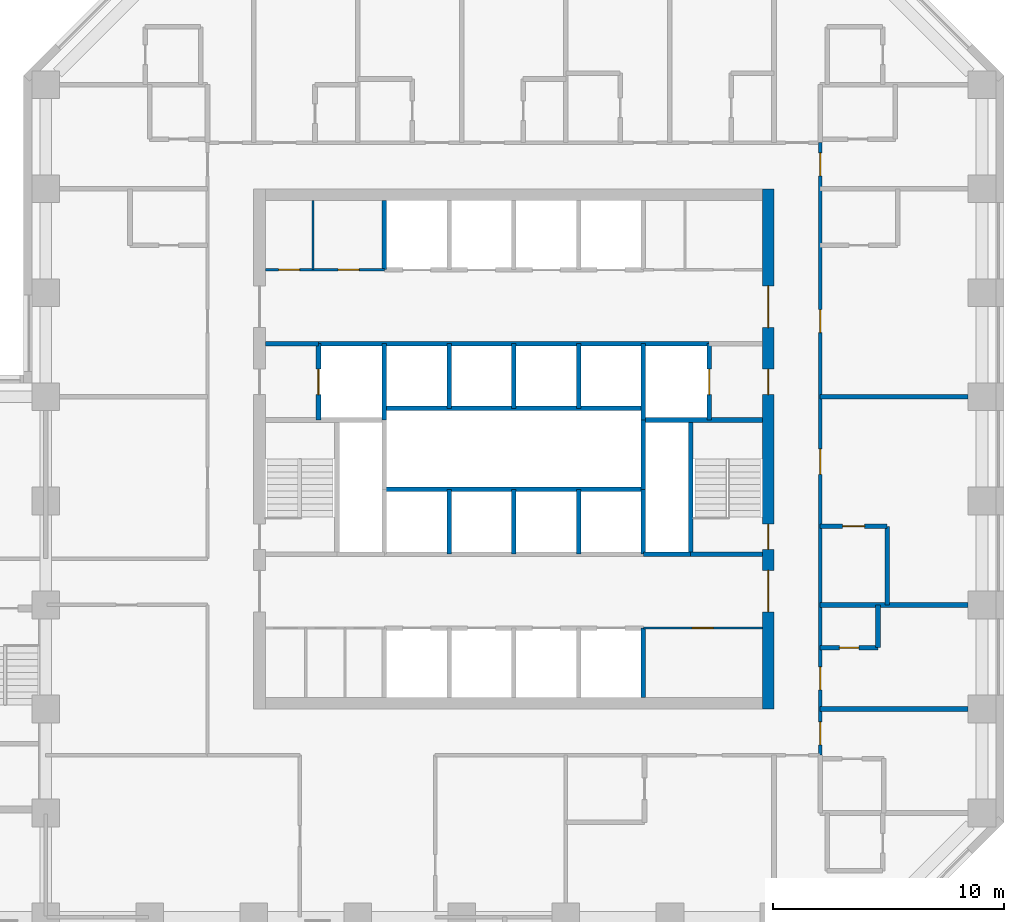
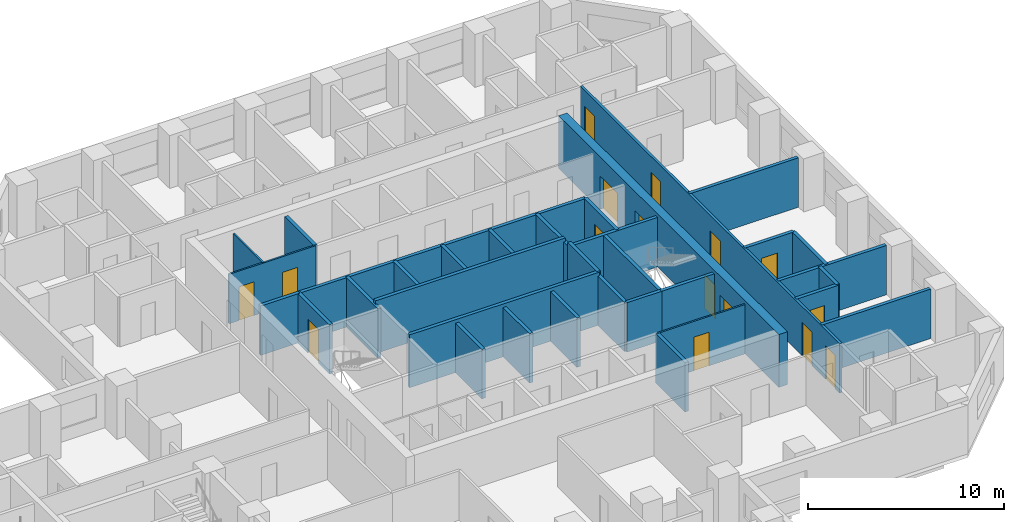
# One storey, part 8 of 12: 34 walls, 16 doors, 16 openings.
"""IFC4 building model written with IfcOpenShell, lengths in metres."""

from ifc_helpers import new_model, si_unit, direction, frame, frame_2d, origin, place, context, subcontext, project, spatial, rectangle, extrude, material, layer, layer_set, type_object, element, fill, save


model = new_model("IFC4")

# Units and contexts
model_context = context("Model", 3, precision=1e-05, world=origin(), true_north=direction((0.0, 1.0)))
body_context = subcontext(model_context, "Body", "Model", "MODEL_VIEW")
ifc_project = project(units=[si_unit("LENGTHUNIT", "METRE"), si_unit("AREAUNIT", "SQUARE_METRE"), si_unit("VOLUMEUNIT", "CUBIC_METRE"), si_unit("PLANEANGLEUNIT", "RADIAN"), si_unit("MASSUNIT", "GRAM", prefix="KILO")], contexts=[model_context])

# Site, building, storey
site_placement = place(None, origin())
site = spatial("IfcSite", under=ifc_project, at=site_placement, CompositionType="ELEMENT")
building_placement = place(site_placement, origin())
building = spatial("IfcBuilding", under=site, at=building_placement, Name="Quoin Convention Tower", CompositionType="ELEMENT")
storey_placement = place(building_placement, frame((0.0, 0.0, 33.0)))
storey = spatial("IfcBuildingStorey", under=building, at=storey_placement, Name="L07", CompositionType="ELEMENT", Elevation=33.0)

# Wall, opening, door
ifc_material_1 = material(Name="Plasterboard")
ifc_layer_1 = layer(ifc_material_1, 0.012451171875, Name="Finish")
ifc_material_2 = material(Name="Steel stud framing", Category="steel")
ifc_layer_2 = layer(ifc_material_2, 0.074951171875, Name="Structure")
ifc_layer_3 = layer(ifc_material_1, 0.012451171875, Name="Finish")
ifc_layer_set_1 = layer_set([ifc_layer_1, ifc_layer_2, ifc_layer_3], Name="Steel stud framing")
wall_type_1 = type_object("IfcWallType", Name="Core partition wall", PredefinedType="PARTITIONING", material=ifc_layer_set_1)
wall_1_placement = place(storey_placement, frame((61.85009765625, 53.0, 0.0), z_axis=(0.0, 0.0, 1.0), x_axis=(1.0, 0.0, 0.0)))
wall_1 = element("IfcWall", 1, at=wall_1_placement, inside=storey, type_object=wall_type_1, Name="cr-C1-L07-h3500_16850", PredefinedType="PARTITIONING", context=body_context, shape_type="SweptSolid", body=[
    extrude(rectangle(XDim=5.14990234375, YDim=0.10009765625, at=frame_2d((2.574951171875, 0.0))), origin(), (0.0, 0.0, 1.0), 3.080078125),
])
opening_1_placement = place(wall_1_placement, frame((2.125, 0.0, 0.0)))
opening_1 = element("IfcOpeningElement", 2, at=opening_1_placement, cuts=wall_1, Name="Opening DCV3-19", PredefinedType="OPENING", context=body_context, shape_type="SweptSolid", body=[
    extrude(rectangle(XDim=0.89990234375, YDim=2.10009765625, at=frame_2d((0.449951171875, 1.050048828125))), frame((0.0, 0.06005859375, 0.0), z_axis=(0.0, -1.0, 0.0), x_axis=(1.0, 0.0, 0.0)), (0.0, 0.0, 1.0), 0.1201171875),
])
ifc_material_3 = material(Name="Steel door leaf", Category="steel")
door_type_1 = type_object("IfcDoorType", Name="Core room door 900 x 2100", OperationType="SINGLE_SWING_LEFT", PredefinedType="DOOR", material=ifc_material_3)
door_1_placement = place(opening_1_placement, frame((0.89990234375, 0.0, 0.0), z_axis=(0.0, 0.0, 1.0), x_axis=(-1.0, 0.0, 0.0)))
door_1 = element("IfcDoor", 3, at=door_1_placement, inside=storey, type_object=door_type_1, Name="cd-C1-L07-CSE0-lobA-CD0711", OperationType="SINGLE_SWING_RIGHT", OverallHeight=2.10009765625, OverallWidth=0.89990234375, PredefinedType="DOOR", context=body_context, shape_type="SweptSolid", body=[
    extrude(rectangle(XDim=0.89990234375, YDim=2.10009765625, at=frame_2d((0.449951171875, 1.050048828125))), frame((0.0, 0.02490234375, 0.0), z_axis=(0.0, -1.0, 0.0), x_axis=(1.0, 0.0, 0.0)), (0.0, 0.0, 1.0), 0.050048828125),
])
fill(opening_1, door_1)

# Wall, openings, doors
wall_2_placement = place(storey_placement, frame((45.5, 68.5, 0.0), z_axis=(0.0, 0.0, 1.0), x_axis=(1.0, 0.0, 0.0)))
wall_2 = element("IfcWall", 4, at=wall_2_placement, inside=storey, type_object=wall_type_1, Name="cr-C1-L07-h19000_500", PredefinedType="PARTITIONING", context=body_context, shape_type="SweptSolid", body=[
    extrude(rectangle(XDim=5.14990234375, YDim=0.10009765625, at=frame_2d((2.574951171875, 0.0))), origin(), (0.0, 0.0, 1.0), 3.080078125),
])
opening_2_placement = place(wall_2_placement, frame((0.580078125, 0.0, 0.0)))
opening_2 = element("IfcOpeningElement", 5, at=opening_2_placement, cuts=wall_2, Name="Opening DCV3-17", PredefinedType="OPENING", context=body_context, shape_type="SweptSolid", body=[
    extrude(rectangle(XDim=0.89990234375, YDim=2.10009765625, at=frame_2d((0.449951171875, 1.050048828125))), frame((0.0, 0.06005859375, 0.0), z_axis=(0.0, -1.0, 0.0), x_axis=(1.0, 0.0, 0.0)), (0.0, 0.0, 1.0), 0.1201171875),
])
opening_3_placement = place(wall_2_placement, frame((3.155029296875, 0.0, 0.0)))
opening_3 = element("IfcOpeningElement", 6, at=opening_3_placement, cuts=wall_2, Name="Opening DCV3-18", PredefinedType="OPENING", context=body_context, shape_type="SweptSolid", body=[
    extrude(rectangle(XDim=0.89990234375, YDim=2.10009765625, at=frame_2d((0.449951171875, 1.050048828125))), frame((0.0, 0.06005859375, 0.0), z_axis=(0.0, -1.0, 0.0), x_axis=(1.0, 0.0, 0.0)), (0.0, 0.0, 1.0), 0.1201171875),
])
door_2_placement = place(opening_2_placement, origin())
door_2 = element("IfcDoor", 7, at=door_2_placement, inside=storey, type_object=door_type_1, Name="cd-C1-L07-CNW0-lobB-CD0709", OperationType="SINGLE_SWING_RIGHT", OverallHeight=2.10009765625, OverallWidth=0.89990234375, PredefinedType="DOOR", context=body_context, shape_type="SweptSolid", body=[
    extrude(rectangle(XDim=0.89990234375, YDim=2.10009765625, at=frame_2d((0.449951171875, 1.050048828125))), frame((0.0, 0.02490234375, 0.0), z_axis=(0.0, -1.0, 0.0), x_axis=(1.0, 0.0, 0.0)), (0.0, 0.0, 1.0), 0.050048828125),
])
fill(opening_2, door_2)
door_3_placement = place(opening_3_placement, origin())
door_3 = element("IfcDoor", 8, at=door_3_placement, inside=storey, type_object=door_type_1, Name="cd-C1-L07-CNW1-lobB-CD0710", OperationType="SINGLE_SWING_RIGHT", OverallHeight=2.10009765625, OverallWidth=0.89990234375, PredefinedType="DOOR", context=body_context, shape_type="SweptSolid", body=[
    extrude(rectangle(XDim=0.89990234375, YDim=2.10009765625, at=frame_2d((0.449951171875, 1.050048828125))), frame((0.0, 0.02490234375, 0.0), z_axis=(0.0, -1.0, 0.0), x_axis=(1.0, 0.0, 0.0)), (0.0, 0.0, 1.0), 0.050048828125),
])
fill(opening_3, door_3)

# Walls
wall_3_placement = place(storey_placement, frame((47.56005859375, 68.5, 0.0), z_axis=(0.0, 0.0, 1.0), x_axis=(0.0, 1.0, 0.0)))
element("IfcWall", 9, at=wall_3_placement, inside=storey, type_object=wall_type_1, Name="cr-C1-L07-v2560_19000", PredefinedType="PARTITIONING", context=body_context, shape_type="SweptSolid", body=[
    extrude(rectangle(XDim=3.0, YDim=0.10009765625, at=frame_2d((1.5, 0.0))), origin(), (0.0, 0.0, 1.0), 3.080078125),
])
ifc_material_4 = material(Name="Concrete C50", Category="concrete")
ifc_layer_4 = layer(ifc_material_4, 0.199951171875)
ifc_layer_set_2 = layer_set([ifc_layer_4], Name="Concrete C50")
wall_type_2 = type_object("IfcWallType", Name="Core shaft wall", PredefinedType="SOLIDWALL", material=ifc_layer_set_2)
wall_4_placement = place(storey_placement, frame((61.85009765625, 56.199951171875, 0.0), z_axis=(0.0, 0.0, 1.0), x_axis=(1.0, 0.0, 0.0)))
element("IfcWall", 10, at=wall_4_placement, inside=storey, type_object=wall_type_2, Name="cr-C1-L07-h6700_16850", PredefinedType="SOLIDWALL", context=body_context, shape_type="SweptSolid", body=[
    extrude(rectangle(XDim=2.0498046875, YDim=0.199951171875, at=frame_2d((1.02490234375, 0.0))), origin(), (0.0, 0.0, 1.0), 3.080078125),
])
wall_5_placement = place(storey_placement, frame((63.89990234375, 56.199951171875, 0.0), z_axis=(0.0, 0.0, 1.0), x_axis=(1.0, 0.0, 0.0)))
element("IfcWall", 11, at=wall_5_placement, inside=storey, type_object=wall_type_2, Name="cr-C1-L07-h6700_18900", PredefinedType="SOLIDWALL", context=body_context, shape_type="SweptSolid", body=[
    extrude(rectangle(XDim=3.10009765625, YDim=0.199951171875, at=frame_2d((1.550048828125, 0.0))), origin(), (0.0, 0.0, 1.0), 3.080078125),
])
wall_6_placement = place(storey_placement, frame((61.85009765625, 62.0, 0.0), z_axis=(0.0, 0.0, 1.0), x_axis=(1.0, 0.0, 0.0)))
element("IfcWall", 12, at=wall_6_placement, inside=storey, type_object=wall_type_2, Name="cr-C1-L07-h12500_16850", PredefinedType="SOLIDWALL", context=body_context, shape_type="SweptSolid", body=[
    extrude(rectangle(XDim=5.14990234375, YDim=0.199951171875, at=frame_2d((2.574951171875, 0.0))), origin(), (0.0, 0.0, 1.0), 3.080078125),
])
wall_7_placement = place(storey_placement, frame((45.5, 65.300048828125, 0.0), z_axis=(0.0, 0.0, 1.0), x_axis=(1.0, 0.0, 0.0)))
element("IfcWall", 13, at=wall_7_placement, inside=storey, type_object=wall_type_2, Name="cr-C1-L07-h15800_500", PredefinedType="SOLIDWALL", context=body_context, shape_type="SweptSolid", body=[
    extrude(rectangle(XDim=2.300048828125, YDim=0.199951171875, at=frame_2d((1.14990234375, 0.0))), origin(), (0.0, 0.0, 1.0), 3.080078125),
])
wall_8_placement = place(storey_placement, frame((47.800048828125, 65.300048828125, 0.0), z_axis=(0.0, 0.0, 1.0), x_axis=(1.0, 0.0, 0.0)))
element("IfcWall", 14, at=wall_8_placement, inside=storey, type_object=wall_type_2, Name="cr-C1-L07-h15800_2800", PredefinedType="SOLIDWALL", context=body_context, shape_type="SweptSolid", body=[
    extrude(rectangle(XDim=16.89990234375, YDim=0.199951171875, at=frame_2d((8.449951171875, 0.0))), origin(), (0.0, 0.0, 1.0), 3.080078125),
])

# Wall, opening, door
wall_9_placement = place(storey_placement, frame((47.800048828125, 62.0, 0.0), z_axis=(0.0, 0.0, 1.0), x_axis=(0.0, 1.0, 0.0)))
wall_9 = element("IfcWall", 15, at=wall_9_placement, inside=storey, type_object=wall_type_2, Name="cr-C1-L07-v2800_12500", PredefinedType="SOLIDWALL", context=body_context, shape_type="SweptSolid", body=[
    extrude(rectangle(XDim=3.300048828125, YDim=0.199951171875, at=frame_2d((1.64990234375, 0.0))), origin(), (0.0, 0.0, 1.0), 3.080078125),
])
opening_4_placement = place(wall_9_placement, frame((1.10009765625, 0.0, 0.0)))
opening_4 = element("IfcOpeningElement", 16, at=opening_4_placement, cuts=wall_9, Name="Opening LDFL1", PredefinedType="OPENING", context=body_context, shape_type="SweptSolid", body=[
    extrude(rectangle(XDim=1.10009765625, YDim=2.10009765625, at=frame_2d((0.550048828125, 1.050048828125))), frame((0.0, 0.10986328125, 0.0), z_axis=(0.0, -1.0, 0.0), x_axis=(1.0, 0.0, 0.0)), (0.0, 0.0, 1.0), 0.219970703125),
])
door_type_2 = type_object("IfcDoorType", Name="Lift landing door 1100 x 2100", OperationType="DOUBLE_DOOR_SLIDING", PredefinedType="DOOR", material=ifc_material_3)
door_4_placement = place(opening_4_placement, origin())
door_4 = element("IfcDoor", 17, at=door_4_placement, inside=storey, type_object=door_type_2, Name="cd-C1-L07-FLW-FFW-LDFL1", OperationType="DOUBLE_DOOR_SLIDING", OverallHeight=2.10009765625, OverallWidth=1.10009765625, PredefinedType="DOOR", context=body_context, shape_type="SweptSolid", body=[
    extrude(rectangle(XDim=1.10009765625, YDim=2.10009765625, at=frame_2d((0.550048828125, 1.050048828125))), frame((0.0, 0.02490234375, 0.0), z_axis=(0.0, -1.0, 0.0), x_axis=(1.0, 0.0, 0.0)), (0.0, 0.0, 1.0), 0.050048828125),
])
fill(opening_4, door_4)

# Walls
wall_10_placement = place(storey_placement, frame((50.64990234375, 62.0, 0.0), z_axis=(0.0, 0.0, 1.0), x_axis=(0.0, 1.0, 0.0)))
element("IfcWall", 18, at=wall_10_placement, inside=storey, type_object=wall_type_2, Name="cr-C1-L07-v5650_12500", PredefinedType="SOLIDWALL", context=body_context, shape_type="SweptSolid", body=[
    extrude(rectangle(XDim=3.300048828125, YDim=0.199951171875, at=frame_2d((1.64990234375, 0.0))), origin(), (0.0, 0.0, 1.0), 3.080078125),
])
wall_11_placement = place(storey_placement, frame((50.64990234375, 68.5, 0.0), z_axis=(0.0, 0.0, 1.0), x_axis=(0.0, 1.0, 0.0)))
element("IfcWall", 19, at=wall_11_placement, inside=storey, type_object=wall_type_2, Name="cr-C1-L07-v5650_19000", PredefinedType="SOLIDWALL", context=body_context, shape_type="SweptSolid", body=[
    extrude(rectangle(XDim=3.0, YDim=0.199951171875, at=frame_2d((1.5, 0.0))), origin(), (0.0, 0.0, 1.0), 3.080078125),
])
for number, where, z_axis, x_axis, name in (
    (20, (53.449951171875, 56.199951171875, 0.0), (0.0, 0.0, 1.0), (0.0, 1.0, 0.0), "cr-C1-L07-v8450_6700"),
    (21, (53.449951171875, 62.5, 0.0), (0.0, 0.0, 1.0), (0.0, 1.0, 0.0), "cr-C1-L07-v8450_13000"),
    (22, (56.25, 56.199951171875, 0.0), (0.0, 0.0, 1.0), (0.0, 1.0, 0.0), "cr-C1-L07-v11250_6700"),
    (23, (56.25, 62.5, 0.0), (0.0, 0.0, 1.0), (0.0, 1.0, 0.0), "cr-C1-L07-v11250_13000"),
    (24, (59.050048828125, 56.199951171875, 0.0), (0.0, 0.0, 1.0), (0.0, 1.0, 0.0), "cr-C1-L07-v14050_6700"),
    (25, (59.050048828125, 62.5, 0.0), (0.0, 0.0, 1.0), (0.0, 1.0, 0.0), "cr-C1-L07-v14050_13000"),
):
    element("IfcWall", number, at=place(storey_placement, frame(where, z_axis=z_axis, x_axis=x_axis)), inside=storey, type_object=wall_type_2, Name=name, PredefinedType="SOLIDWALL", context=body_context, shape_type="SweptSolid", body=[
        extrude(rectangle(XDim=2.800048828125, YDim=0.199951171875, at=frame_2d((1.39990234375, 0.0))), origin(), (0.0, 0.0, 1.0), 3.080078125),
    ])
wall_12_placement = place(storey_placement, frame((61.85009765625, 50.0, 0.0), z_axis=(0.0, 0.0, 1.0), x_axis=(0.0, 1.0, 0.0)))
element("IfcWall", 26, at=wall_12_placement, inside=storey, type_object=wall_type_2, Name="cr-C1-L07-v16850_500", PredefinedType="SOLIDWALL", context=body_context, shape_type="SweptSolid", body=[
    extrude(rectangle(XDim=3.0, YDim=0.199951171875, at=frame_2d((1.5, 0.0))), origin(), (0.0, 0.0, 1.0), 3.080078125),
])
wall_13_placement = place(storey_placement, frame((61.85009765625, 56.199951171875, 0.0), z_axis=(0.0, 0.0, 1.0), x_axis=(0.0, 1.0, 0.0)))
element("IfcWall", 27, at=wall_13_placement, inside=storey, type_object=wall_type_2, Name="cr-C1-L07-v16850_6700", PredefinedType="SOLIDWALL", context=body_context, shape_type="SweptSolid", body=[
    extrude(rectangle(XDim=2.800048828125, YDim=0.199951171875, at=frame_2d((1.39990234375, 0.0))), origin(), (0.0, 0.0, 1.0), 3.080078125),
])
wall_14_placement = place(storey_placement, frame((61.85009765625, 62.0, 0.0), z_axis=(0.0, 0.0, 1.0), x_axis=(0.0, 1.0, 0.0)))
element("IfcWall", 28, at=wall_14_placement, inside=storey, type_object=wall_type_2, Name="cr-C1-L07-v16850_12500", PredefinedType="SOLIDWALL", context=body_context, shape_type="SweptSolid", body=[
    extrude(rectangle(XDim=3.300048828125, YDim=0.199951171875, at=frame_2d((1.64990234375, 0.0))), origin(), (0.0, 0.0, 1.0), 3.080078125),
])
wall_15_placement = place(storey_placement, frame((63.89990234375, 56.199951171875, 0.0), z_axis=(0.0, 0.0, 1.0), x_axis=(0.0, 1.0, 0.0)))
element("IfcWall", 29, at=wall_15_placement, inside=storey, type_object=wall_type_2, Name="cr-C1-L07-v18900_6700", PredefinedType="SOLIDWALL", context=body_context, shape_type="SweptSolid", body=[
    extrude(rectangle(XDim=5.800048828125, YDim=0.199951171875, at=frame_2d((2.89990234375, 0.0))), origin(), (0.0, 0.0, 1.0), 3.080078125),
])

# Wall, opening, door
wall_16_placement = place(storey_placement, frame((64.699951171875, 62.0, 0.0), z_axis=(0.0, 0.0, 1.0), x_axis=(0.0, 1.0, 0.0)))
wall_16 = element("IfcWall", 30, at=wall_16_placement, inside=storey, type_object=wall_type_2, Name="cr-C1-L07-v19700_12500", PredefinedType="SOLIDWALL", context=body_context, shape_type="SweptSolid", body=[
    extrude(rectangle(XDim=3.300048828125, YDim=0.199951171875, at=frame_2d((1.64990234375, 0.0))), origin(), (0.0, 0.0, 1.0), 3.080078125),
])
opening_5_placement = place(wall_16_placement, frame((1.10009765625, 0.0, 0.0)))
opening_5 = element("IfcOpeningElement", 31, at=opening_5_placement, cuts=wall_16, Name="Opening LDFL2", PredefinedType="OPENING", context=body_context, shape_type="SweptSolid", body=[
    extrude(rectangle(XDim=1.10009765625, YDim=2.10009765625, at=frame_2d((0.550048828125, 1.050048828125))), frame((0.0, 0.10986328125, 0.0), z_axis=(0.0, -1.0, 0.0), x_axis=(1.0, 0.0, 0.0)), (0.0, 0.0, 1.0), 0.219970703125),
])
door_5_placement = place(opening_5_placement, origin())
door_5 = element("IfcDoor", 32, at=door_5_placement, inside=storey, type_object=door_type_2, Name="cd-C1-L07-FLE-FFE-LDFL2", OperationType="DOUBLE_DOOR_SLIDING", OverallHeight=2.10009765625, OverallWidth=1.10009765625, PredefinedType="DOOR", context=body_context, shape_type="SweptSolid", body=[
    extrude(rectangle(XDim=1.10009765625, YDim=2.10009765625, at=frame_2d((0.550048828125, 1.050048828125))), frame((0.0, 0.02490234375, 0.0), z_axis=(0.0, -1.0, 0.0), x_axis=(1.0, 0.0, 0.0)), (0.0, 0.0, 1.0), 0.050048828125),
])
fill(opening_5, door_5)

# Walls
ifc_layer_5 = layer(ifc_material_4, 0.199951171875)
ifc_layer_set_3 = layer_set([ifc_layer_5], Name="Concrete C50")
wall_type_3 = type_object("IfcWallType", Name="Core shaft wall to the floor level over", PredefinedType="SOLIDWALL", material=ifc_layer_set_3)
for number, where, z_axis, x_axis, name in (
    (33, (50.64990234375, 59.0, 0.0), (0.0, 0.0, 1.0), (1.0, 0.0, 0.0), "cr-C1-L07-h9500_5650"),
    (34, (50.64990234375, 62.5, 0.0), (0.0, 0.0, 1.0), (1.0, 0.0, 0.0), "cr-C1-L07-h13000_5650"),
):
    element("IfcWall", number, at=place(storey_placement, frame(where, z_axis=z_axis, x_axis=x_axis)), inside=storey, type_object=wall_type_3, Name=name, PredefinedType="SOLIDWALL", context=body_context, shape_type="SweptSolid", body=[
        extrude(rectangle(XDim=11.2001953125, YDim=0.199951171875, at=frame_2d((5.60009765625, 0.0))), origin(), (0.0, 0.0, 1.0), 3.300048828125),
    ])
wall_17_placement = place(storey_placement, frame((61.85009765625, 59.0, 0.0), z_axis=(0.0, 0.0, 1.0), x_axis=(0.0, 1.0, 0.0)))
element("IfcWall", 35, at=wall_17_placement, inside=storey, type_object=wall_type_3, Name="cr-C1-L07-v16850_9500", PredefinedType="SOLIDWALL", context=body_context, shape_type="SweptSolid", body=[
    extrude(rectangle(XDim=3.0, YDim=0.199951171875, at=frame_2d((1.5, 0.0))), origin(), (0.0, 0.0, 1.0), 3.300048828125),
])

# Wall, openings, doors
ifc_material_5 = material(Name="Concrete C80", Category="concrete")
ifc_layer_6 = layer(ifc_material_5, 0.5)
ifc_layer_set_4 = layer_set([ifc_layer_6], Name="Concrete C80")
wall_type_4 = type_object("IfcWallType", Name="RC CORE WALL 500 C80", PredefinedType="SHEAR", material=ifc_layer_set_4)
wall_18_placement = place(storey_placement, frame((67.25, 49.5, 0.0), z_axis=(0.0, 0.0, 1.0), x_axis=(0.0, 1.0, 0.0)))
wall_18 = element("IfcWall", 36, at=wall_18_placement, inside=storey, type_object=wall_type_4, Name="cwl-C1-L07-E", PredefinedType="SHEAR", context=body_context, shape_type="SweptSolid", body=[
    extrude(rectangle(XDim=22.5, YDim=0.5, at=frame_2d((11.25, 0.0))), origin(), (0.0, 0.0, 1.0), 3.300048828125),
])
opening_6_placement = place(wall_18_placement, frame((4.199951171875, 0.0, 0.0)))
opening_6 = element("IfcOpeningElement", 37, at=opening_6_placement, cuts=wall_18, Name="Opening DCV3-38", PredefinedType="OPENING", context=body_context, shape_type="SweptSolid", body=[
    extrude(rectangle(XDim=1.800048828125, YDim=2.10009765625, at=frame_2d((0.89990234375, 1.050048828125))), frame((0.0, 0.260009765625, 0.0), z_axis=(0.0, -1.0, 0.0), x_axis=(1.0, 0.0, 0.0)), (0.0, 0.0, 1.0), 0.52001953125),
])
opening_7_placement = place(wall_18_placement, frame((6.89990234375, 0.0, 0.0)))
opening_7 = element("IfcOpeningElement", 38, at=opening_7_placement, cuts=wall_18, Name="Opening SD2", PredefinedType="OPENING", context=body_context, shape_type="SweptSolid", body=[
    extrude(rectangle(XDim=1.10009765625, YDim=2.10009765625, at=frame_2d((0.550048828125, 1.050048828125))), frame((0.0, 0.260009765625, 0.0), z_axis=(0.0, -1.0, 0.0), x_axis=(1.0, 0.0, 0.0)), (0.0, 0.0, 1.0), 0.52001953125),
])
opening_8_placement = place(wall_18_placement, frame((13.60009765625, 0.0, 0.0)))
opening_8 = element("IfcOpeningElement", 39, at=opening_8_placement, cuts=wall_18, Name="Opening DCV3-37", PredefinedType="OPENING", context=body_context, shape_type="SweptSolid", body=[
    extrude(rectangle(XDim=1.10009765625, YDim=2.10009765625, at=frame_2d((0.550048828125, 1.050048828125))), frame((0.0, 0.260009765625, 0.0), z_axis=(0.0, -1.0, 0.0), x_axis=(1.0, 0.0, 0.0)), (0.0, 0.0, 1.0), 0.52001953125),
])
opening_9_placement = place(wall_18_placement, frame((16.5, 0.0, 0.0)))
opening_9 = element("IfcOpeningElement", 40, at=opening_9_placement, cuts=wall_18, Name="Opening DCV3-38", PredefinedType="OPENING", context=body_context, shape_type="SweptSolid", body=[
    extrude(rectangle(XDim=1.800048828125, YDim=2.10009765625, at=frame_2d((0.89990234375, 1.050048828125))), frame((0.0, 0.260009765625, 0.0), z_axis=(0.0, -1.0, 0.0), x_axis=(1.0, 0.0, 0.0)), (0.0, 0.0, 1.0), 0.52001953125),
])
door_type_3 = type_object("IfcDoorType", Name="Fire-fighting lobby door 1100 x 2100", OperationType="SINGLE_SWING_LEFT", PredefinedType="DOOR", material=ifc_material_3)
door_6_placement = place(opening_8_placement, origin())
door_6 = element("IfcDoor", 41, at=door_6_placement, inside=storey, type_object=door_type_3, Name="cd-C1-L07-FFE-E", OperationType="SINGLE_SWING_RIGHT", OverallHeight=2.10009765625, OverallWidth=1.10009765625, PredefinedType="DOOR", context=body_context, shape_type="SweptSolid", body=[
    extrude(rectangle(XDim=1.10009765625, YDim=2.10009765625, at=frame_2d((0.550048828125, 1.050048828125))), frame((0.0, 0.02490234375, 0.0), z_axis=(0.0, -1.0, 0.0), x_axis=(1.0, 0.0, 0.0)), (0.0, 0.0, 1.0), 0.050048828125),
])
fill(opening_8, door_6)
door_type_4 = type_object("IfcDoorType", Name="Lift lobby door 1800 x 2100", OperationType="SINGLE_SWING_LEFT", PredefinedType="DOOR", material=ifc_material_3)
door_7_placement = place(opening_6_placement, origin())
door_7 = element("IfcDoor", 42, at=door_7_placement, inside=storey, type_object=door_type_4, Name="cd-C1-L07-lobA-E", OperationType="SINGLE_SWING_RIGHT", OverallHeight=2.10009765625, OverallWidth=1.800048828125, PredefinedType="DOOR", context=body_context, shape_type="SweptSolid", body=[
    extrude(rectangle(XDim=1.800048828125, YDim=2.10009765625, at=frame_2d((0.89990234375, 1.050048828125))), frame((0.0, 0.02490234375, 0.0), z_axis=(0.0, -1.0, 0.0), x_axis=(1.0, 0.0, 0.0)), (0.0, 0.0, 1.0), 0.050048828125),
])
fill(opening_6, door_7)
door_8_placement = place(opening_9_placement, origin())
door_8 = element("IfcDoor", 43, at=door_8_placement, inside=storey, type_object=door_type_4, Name="cd-C1-L07-lobB-E", OperationType="SINGLE_SWING_RIGHT", OverallHeight=2.10009765625, OverallWidth=1.800048828125, PredefinedType="DOOR", context=body_context, shape_type="SweptSolid", body=[
    extrude(rectangle(XDim=1.800048828125, YDim=2.10009765625, at=frame_2d((0.89990234375, 1.050048828125))), frame((0.0, 0.02490234375, 0.0), z_axis=(0.0, -1.0, 0.0), x_axis=(1.0, 0.0, 0.0)), (0.0, 0.0, 1.0), 0.050048828125),
])
fill(opening_9, door_8)
door_type_5 = type_object("IfcDoorType", Name="Stair door 1100 x 2100", OperationType="SINGLE_SWING_RIGHT", PredefinedType="DOOR", material=ifc_material_3)
door_9_placement = place(opening_7_placement, origin())
door_9 = element("IfcDoor", 44, at=door_9_placement, inside=storey, type_object=door_type_5, Name="cd-C1-L07-STE-E", OperationType="SINGLE_SWING_LEFT", OverallHeight=2.10009765625, OverallWidth=1.10009765625, PredefinedType="DOOR", context=body_context, shape_type="SweptSolid", body=[
    extrude(rectangle(XDim=1.10009765625, YDim=2.10009765625, at=frame_2d((0.550048828125, 1.050048828125))), frame((0.0, 0.02490234375, 0.0), z_axis=(0.0, -1.0, 0.0), x_axis=(1.0, 0.0, 0.0)), (0.0, 0.0, 1.0), 0.050048828125),
])
fill(opening_7, door_9)

# Wall
ifc_layer_7 = layer(ifc_material_4, 0.199951171875)
ifc_layer_set_5 = layer_set([ifc_layer_7], Name="Concrete C50")
wall_type_5 = type_object("IfcWallType", Name="RC party wall", PredefinedType="SOLIDWALL", material=ifc_layer_set_5)
wall_19_placement = place(storey_placement, frame((69.5, 49.5, 0.0), z_axis=(0.0, 0.0, 1.0), x_axis=(1.0, 0.0, 0.0)))
element("IfcWall", 45, at=wall_19_placement, inside=storey, type_object=wall_type_5, Name="pw-L07-094", PredefinedType="SOLIDWALL", context=body_context, shape_type="SweptSolid", body=[
    extrude(rectangle(XDim=6.39990234375, YDim=0.199951171875, at=frame_2d((3.199951171875, 0.0))), origin(), (0.0, 0.0, 1.0), 3.080078125),
])

# Wall, opening, door
wall_20_placement = place(storey_placement, frame((69.5, 52.14990234375, 0.0), z_axis=(0.0, 0.0, 1.0), x_axis=(1.0, 0.0, 0.0)))
wall_20 = element("IfcWall", 46, at=wall_20_placement, inside=storey, type_object=wall_type_5, Name="pw-L07-095", PredefinedType="SOLIDWALL", context=body_context, shape_type="SweptSolid", body=[
    extrude(rectangle(XDim=2.5, YDim=0.199951171875, at=frame_2d((1.25, 0.0))), origin(), (0.0, 0.0, 1.0), 3.080078125),
])
opening_10_placement = place(wall_20_placement, frame((0.824951171875, 0.0, 0.0)))
opening_10 = element("IfcOpeningElement", 47, at=opening_10_placement, cuts=wall_20, Name="Opening DHOTEL-C-60", PredefinedType="OPENING", context=body_context, shape_type="SweptSolid", body=[
    extrude(rectangle(XDim=0.85009765625, YDim=2.10009765625, at=frame_2d((0.425048828125, 1.050048828125))), frame((0.0, 0.10986328125, 0.0), z_axis=(0.0, -1.0, 0.0), x_axis=(1.0, 0.0, 0.0)), (0.0, 0.0, 1.0), 0.219970703125),
])
door_type_6 = type_object("IfcDoorType", Name="Bathroom door", OperationType="SINGLE_SWING_LEFT", PredefinedType="DOOR", material=ifc_material_3)
door_10_placement = place(opening_10_placement, frame((0.85009765625, 0.0, 0.0), z_axis=(0.0, 0.0, 1.0), x_axis=(-1.0, 0.0, 0.0)))
door_10 = element("IfcDoor", 48, at=door_10_placement, inside=storey, type_object=door_type_6, Name="dr-L07-054", OperationType="SINGLE_SWING_RIGHT", OverallHeight=2.10009765625, OverallWidth=0.85009765625, PredefinedType="DOOR", context=body_context, shape_type="SweptSolid", body=[
    extrude(rectangle(XDim=0.85009765625, YDim=2.10009765625, at=frame_2d((0.425048828125, 1.050048828125))), frame((0.0, 0.02490234375, 0.0), z_axis=(0.0, -1.0, 0.0), x_axis=(1.0, 0.0, 0.0)), (0.0, 0.0, 1.0), 0.050048828125),
])
fill(opening_10, door_10)

# Walls
wall_21_placement = place(storey_placement, frame((72.0, 52.14990234375, 0.0), z_axis=(0.0, 0.0, 1.0), x_axis=(0.0, 1.0, 0.0)))
element("IfcWall", 49, at=wall_21_placement, inside=storey, type_object=wall_type_5, Name="pw-L07-096", PredefinedType="SOLIDWALL", context=body_context, shape_type="SweptSolid", body=[
    extrude(rectangle(XDim=1.85009765625, YDim=0.199951171875, at=frame_2d((0.925048828125, 0.0))), origin(), (0.0, 0.0, 1.0), 3.080078125),
])
wall_22_placement = place(storey_placement, frame((69.5, 54.0, 0.0), z_axis=(0.0, 0.0, 1.0), x_axis=(1.0, 0.0, 0.0)))
element("IfcWall", 50, at=wall_22_placement, inside=storey, type_object=wall_type_5, Name="pw-L07-097", PredefinedType="SOLIDWALL", context=body_context, shape_type="SweptSolid", body=[
    extrude(rectangle(XDim=6.39990234375, YDim=0.199951171875, at=frame_2d((3.199951171875, 0.0))), origin(), (0.0, 0.0, 1.0), 3.080078125),
])
wall_23_placement = place(storey_placement, frame((72.39990234375, 54.0, 0.0), z_axis=(0.0, 0.0, 1.0), x_axis=(0.0, 1.0, 0.0)))
element("IfcWall", 51, at=wall_23_placement, inside=storey, type_object=wall_type_5, Name="pw-L07-098", PredefinedType="SOLIDWALL", context=body_context, shape_type="SweptSolid", body=[
    extrude(rectangle(XDim=3.39990234375, YDim=0.199951171875, at=frame_2d((1.699951171875, 0.0))), origin(), (0.0, 0.0, 1.0), 3.080078125),
])

# Wall, opening, door
wall_24_placement = place(storey_placement, frame((69.5, 57.39990234375, 0.0), z_axis=(0.0, 0.0, 1.0), x_axis=(1.0, 0.0, 0.0)))
wall_24 = element("IfcWall", 52, at=wall_24_placement, inside=storey, type_object=wall_type_5, Name="pw-L07-106", PredefinedType="SOLIDWALL", context=body_context, shape_type="SweptSolid", body=[
    extrude(rectangle(XDim=2.89990234375, YDim=0.199951171875, at=frame_2d((1.449951171875, 0.0))), origin(), (0.0, 0.0, 1.0), 3.080078125),
])
opening_11_placement = place(wall_24_placement, frame((0.97509765625, 0.0, 0.0)))
opening_11 = element("IfcOpeningElement", 53, at=opening_11_placement, cuts=wall_24, Name="Opening DHOTEL-C-62", PredefinedType="OPENING", context=body_context, shape_type="SweptSolid", body=[
    extrude(rectangle(XDim=0.949951171875, YDim=2.10009765625, at=frame_2d((0.47509765625, 1.050048828125))), frame((0.0, 0.10986328125, 0.0), z_axis=(0.0, -1.0, 0.0), x_axis=(1.0, 0.0, 0.0)), (0.0, 0.0, 1.0), 0.219970703125),
])
door_type_7 = type_object("IfcDoorType", Name="Accessible bathroom door", OperationType="SINGLE_SWING_LEFT", PredefinedType="DOOR", material=ifc_material_3)
door_11_placement = place(opening_11_placement, origin())
door_11 = element("IfcDoor", 54, at=door_11_placement, inside=storey, type_object=door_type_7, Name="dr-L07-052", OperationType="SINGLE_SWING_LEFT", OverallHeight=2.10009765625, OverallWidth=0.949951171875, PredefinedType="DOOR", context=body_context, shape_type="SweptSolid", body=[
    extrude(rectangle(XDim=0.949951171875, YDim=2.10009765625, at=frame_2d((0.47509765625, 1.050048828125))), frame((0.0, 0.02490234375, 0.0), z_axis=(0.0, -1.0, 0.0), x_axis=(1.0, 0.0, 0.0)), (0.0, 0.0, 1.0), 0.050048828125),
])
fill(opening_11, door_11)

# Wall
wall_25_placement = place(storey_placement, frame((69.5, 63.0, 0.0), z_axis=(0.0, 0.0, 1.0), x_axis=(1.0, 0.0, 0.0)))
element("IfcWall", 55, at=wall_25_placement, inside=storey, type_object=wall_type_5, Name="pw-L07-113", PredefinedType="SOLIDWALL", context=body_context, shape_type="SweptSolid", body=[
    extrude(rectangle(XDim=6.39990234375, YDim=0.199951171875, at=frame_2d((3.199951171875, 0.0))), origin(), (0.0, 0.0, 1.0), 3.080078125),
])

# Wall, openings, doors
ifc_layer_8 = layer(ifc_material_1, 0.012451171875, Name="Finish")
ifc_layer_9 = layer(ifc_material_2, 0.125, Name="Structure")
ifc_layer_10 = layer(ifc_material_1, 0.012451171875, Name="Finish")
ifc_layer_set_6 = layer_set([ifc_layer_8, ifc_layer_9, ifc_layer_10], Name="Steel stud framing")
wall_type_6 = type_object("IfcWallType", Name="corridor partition", PredefinedType="PARTITIONING", material=ifc_layer_set_6)
wall_26_placement = place(storey_placement, frame((69.5, 47.5, 0.0), z_axis=(0.0, 0.0, 1.0), x_axis=(0.0, 1.0, 0.0)))
wall_26 = element("IfcWall", 56, at=wall_26_placement, inside=storey, type_object=wall_type_6, Name="pw-L07-029", PredefinedType="PARTITIONING", context=body_context, shape_type="SweptSolid", body=[
    extrude(rectangle(XDim=26.5, YDim=0.14990234375, at=frame_2d((13.25, 0.0))), origin(), (0.0, 0.0, 1.0), 3.080078125),
])
opening_12_placement = place(wall_26_placement, frame((25.052978515625, 0.0, 0.0)))
opening_12 = element("IfcOpeningElement", 57, at=opening_12_placement, cuts=wall_26, Name="Opening DHOTEL-C-29", PredefinedType="OPENING", context=body_context, shape_type="SweptSolid", body=[
    extrude(rectangle(XDim=1.0, YDim=2.10009765625, at=frame_2d((0.5, 1.050048828125))), frame((0.0, 0.0849609375, 0.0), z_axis=(0.0, -1.0, 0.0), x_axis=(1.0, 0.0, 0.0)), (0.0, 0.0, 1.0), 0.169921875),
])
opening_13_placement = place(wall_26_placement, frame((18.27490234375, 0.0, 0.0)))
opening_13 = element("IfcOpeningElement", 58, at=opening_13_placement, cuts=wall_26, Name="Opening DHOTEL-C-28", PredefinedType="OPENING", context=body_context, shape_type="SweptSolid", body=[
    extrude(rectangle(XDim=1.0, YDim=2.10009765625, at=frame_2d((0.5, 1.050048828125))), frame((0.0, 0.0849609375, 0.0), z_axis=(0.0, -1.0, 0.0), x_axis=(1.0, 0.0, 0.0)), (0.0, 0.0, 1.0), 0.169921875),
])
opening_14_placement = place(wall_26_placement, frame((12.14990234375, 0.0, 0.0)))
opening_14 = element("IfcOpeningElement", 59, at=opening_14_placement, cuts=wall_26, Name="Opening DHOTEL-C-27", PredefinedType="OPENING", context=body_context, shape_type="SweptSolid", body=[
    extrude(rectangle(XDim=1.10009765625, YDim=2.10009765625, at=frame_2d((0.550048828125, 1.050048828125))), frame((0.0, 0.0849609375, 0.0), z_axis=(0.0, -1.0, 0.0), x_axis=(1.0, 0.0, 0.0)), (0.0, 0.0, 1.0), 0.169921875),
])
opening_15_placement = place(wall_26_placement, frame((2.824951171875, 0.0, 0.0)))
opening_15 = element("IfcOpeningElement", 60, at=opening_15_placement, cuts=wall_26, Name="Opening DHOTEL-C-26", PredefinedType="OPENING", context=body_context, shape_type="SweptSolid", body=[
    extrude(rectangle(XDim=1.0, YDim=2.10009765625, at=frame_2d((0.5, 1.050048828125))), frame((0.0, 0.0849609375, 0.0), z_axis=(0.0, -1.0, 0.0), x_axis=(1.0, 0.0, 0.0)), (0.0, 0.0, 1.0), 0.169921875),
])
opening_16_placement = place(wall_26_placement, frame((0.447021484375, 0.0, 0.0)))
opening_16 = element("IfcOpeningElement", 61, at=opening_16_placement, cuts=wall_26, Name="Opening DHOTEL-C-25", PredefinedType="OPENING", context=body_context, shape_type="SweptSolid", body=[
    extrude(rectangle(XDim=1.0, YDim=2.10009765625, at=frame_2d((0.5, 1.050048828125))), frame((0.0, 0.0849609375, 0.0), z_axis=(0.0, -1.0, 0.0), x_axis=(1.0, 0.0, 0.0)), (0.0, 0.0, 1.0), 0.169921875),
])
door_type_8 = type_object("IfcDoorType", Name="Accessible room door", OperationType="SINGLE_SWING_LEFT", PredefinedType="DOOR", material=ifc_material_3)
door_12_placement = place(opening_14_placement, frame((1.10009765625, 0.0, 0.0), z_axis=(0.0, 0.0, 1.0), x_axis=(-1.0, 0.0, 0.0)))
door_12 = element("IfcDoor", 62, at=door_12_placement, inside=storey, type_object=door_type_8, Name="dr-L07-051", OperationType="SINGLE_SWING_LEFT", OverallHeight=2.10009765625, OverallWidth=1.10009765625, PredefinedType="DOOR", context=body_context, shape_type="SweptSolid", body=[
    extrude(rectangle(XDim=1.10009765625, YDim=2.10009765625, at=frame_2d((0.550048828125, 1.050048828125))), frame((0.0, 0.02490234375, 0.0), z_axis=(0.0, -1.0, 0.0), x_axis=(1.0, 0.0, 0.0)), (0.0, 0.0, 1.0), 0.050048828125),
])
fill(opening_14, door_12)
door_type_9 = type_object("IfcDoorType", Name="Hotel room door", OperationType="SINGLE_SWING_LEFT", PredefinedType="DOOR", material=ifc_material_3)
door_13_placement = place(opening_12_placement, frame((1.0, 0.0, 0.0), z_axis=(0.0, 0.0, 1.0), x_axis=(-1.0, 0.0, 0.0)))
door_13 = element("IfcDoor", 63, at=door_13_placement, inside=storey, type_object=door_type_9, Name="dr-L07-047", OperationType="SINGLE_SWING_LEFT", OverallHeight=2.10009765625, OverallWidth=1.0, PredefinedType="DOOR", context=body_context, shape_type="SweptSolid", body=[
    extrude(rectangle(XDim=1.0, YDim=2.10009765625, at=frame_2d((0.5, 1.050048828125))), frame((0.0, 0.02490234375, 0.0), z_axis=(0.0, -1.0, 0.0), x_axis=(1.0, 0.0, 0.0)), (0.0, 0.0, 1.0), 0.050048828125),
])
fill(opening_12, door_13)
door_14_placement = place(opening_13_placement, frame((1.0, 0.0, 0.0), z_axis=(0.0, 0.0, 1.0), x_axis=(-1.0, 0.0, 0.0)))
door_14 = element("IfcDoor", 64, at=door_14_placement, inside=storey, type_object=door_type_9, Name="dr-L07-049", OperationType="SINGLE_SWING_LEFT", OverallHeight=2.10009765625, OverallWidth=1.0, PredefinedType="DOOR", context=body_context, shape_type="SweptSolid", body=[
    extrude(rectangle(XDim=1.0, YDim=2.10009765625, at=frame_2d((0.5, 1.050048828125))), frame((0.0, 0.02490234375, 0.0), z_axis=(0.0, -1.0, 0.0), x_axis=(1.0, 0.0, 0.0)), (0.0, 0.0, 1.0), 0.050048828125),
])
fill(opening_13, door_14)
door_15_placement = place(opening_15_placement, frame((1.0, 0.0, 0.0), z_axis=(0.0, 0.0, 1.0), x_axis=(-1.0, 0.0, 0.0)))
door_15 = element("IfcDoor", 65, at=door_15_placement, inside=storey, type_object=door_type_9, Name="dr-L07-053", OperationType="SINGLE_SWING_LEFT", OverallHeight=2.10009765625, OverallWidth=1.0, PredefinedType="DOOR", context=body_context, shape_type="SweptSolid", body=[
    extrude(rectangle(XDim=1.0, YDim=2.10009765625, at=frame_2d((0.5, 1.050048828125))), frame((0.0, 0.02490234375, 0.0), z_axis=(0.0, -1.0, 0.0), x_axis=(1.0, 0.0, 0.0)), (0.0, 0.0, 1.0), 0.050048828125),
])
fill(opening_15, door_15)
door_16_placement = place(opening_16_placement, frame((1.0, 0.0, 0.0), z_axis=(0.0, 0.0, 1.0), x_axis=(-1.0, 0.0, 0.0)))
door_16 = element("IfcDoor", 66, at=door_16_placement, inside=storey, type_object=door_type_9, Name="dr-L07-055", OperationType="SINGLE_SWING_LEFT", OverallHeight=2.10009765625, OverallWidth=1.0, PredefinedType="DOOR", context=body_context, shape_type="SweptSolid", body=[
    extrude(rectangle(XDim=1.0, YDim=2.10009765625, at=frame_2d((0.5, 1.050048828125))), frame((0.0, 0.02490234375, 0.0), z_axis=(0.0, -1.0, 0.0), x_axis=(1.0, 0.0, 0.0)), (0.0, 0.0, 1.0), 0.050048828125),
])
fill(opening_16, door_16)

save(model, "model.ifc")
